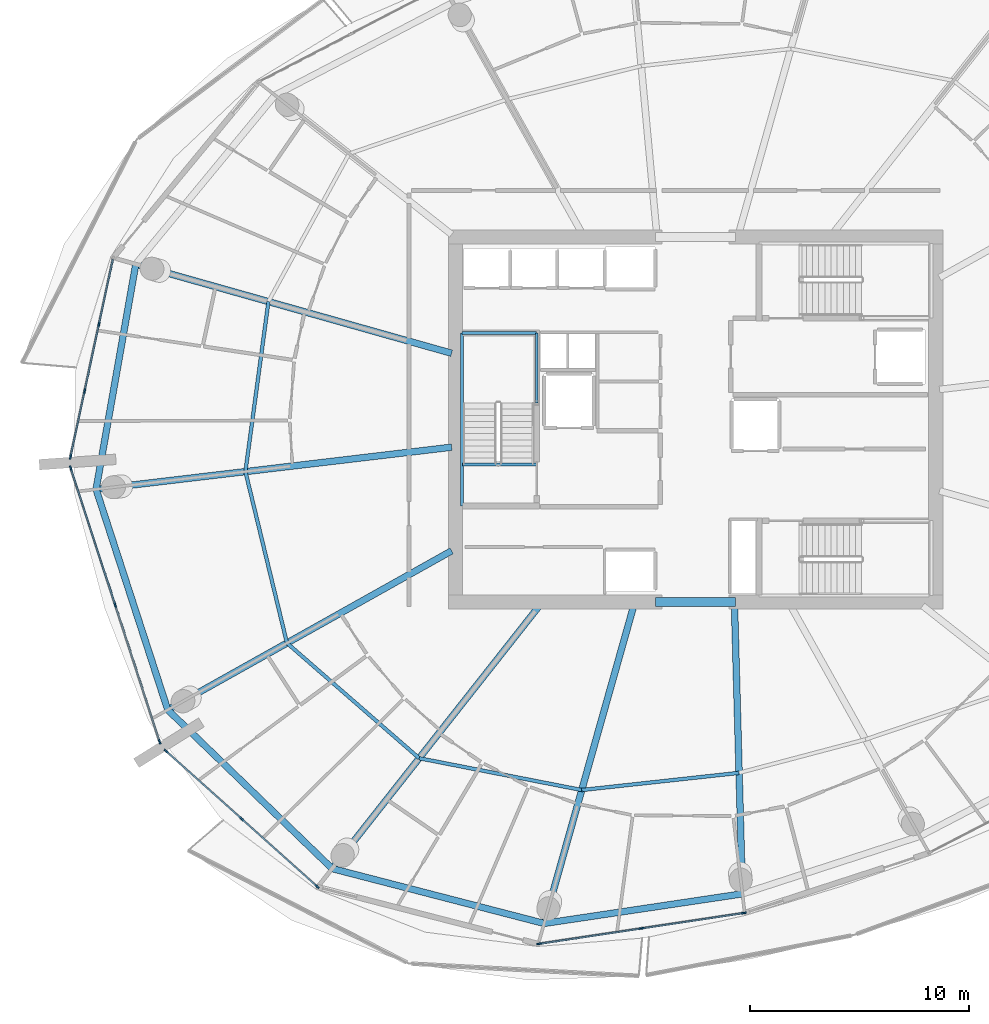
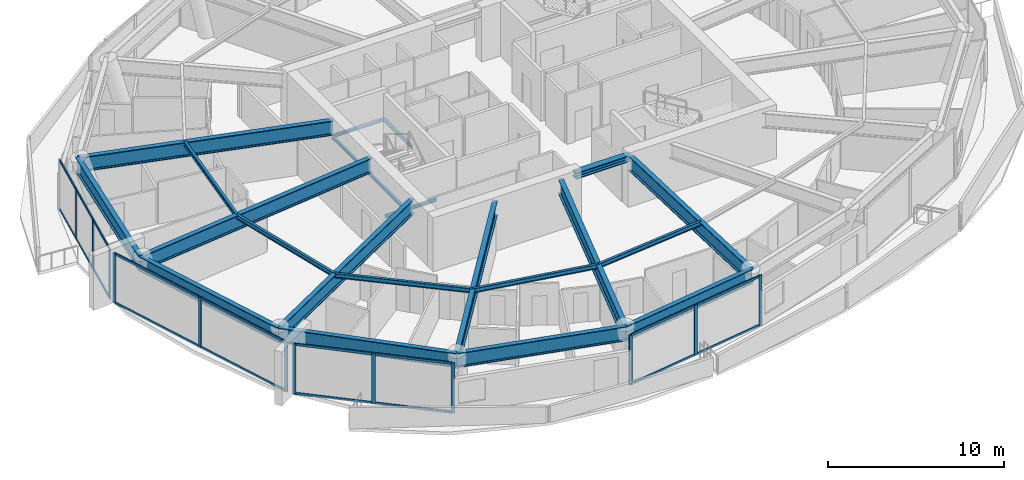
# One storey, part 5 of 20: 30 members, 21 beams, 4 elements without a shape of their own.
"""IFC4 building model written with IfcOpenShell, lengths in metres."""

import ifcopenshell
import ifcopenshell.guid

model = None  # the IFC model being written
_history = None  # IfcOwnerHistory: only IFC2X3 demands one
_inside = {}  # id of a spatial element -> (the spatial element, [elements in it])
_under = {}  # id of a project, library or spatial element -> (it, [spatial elements below it])
_declared = {}  # id of a project -> (the project, [libraries it declares])
_typed = {}  # id of a type object -> (the type object, [elements of that type])
_made_of = {}  # id of a material, layer set ... -> (it, [elements and type objects made of it])


def new_model(schema):
    """Start an empty IFC model of exactly this schema.

    Asked for "IFC4X3", IfcOpenShell would pick the latest addendum, in which some entities
    have other attributes; the version numbers below select the first issue.
    IFC2X3 requires an IfcOwnerHistory on every rooted entity: one is made here for all.
    """
    global model, _history
    if schema == "IFC4X3":
        model = ifcopenshell.file(schema_version=(4, 3, 0, 0))
    else:
        model = ifcopenshell.file(schema=schema)
    _inside.clear()
    _under.clear()
    _declared.clear()
    _typed.clear()
    _made_of.clear()
    _history = None
    if model.schema == "IFC2X3":
        org = make("IfcOrganization", Name="unknown")
        user = make(
            "IfcPersonAndOrganization",
            ThePerson=make("IfcPerson", FamilyName="unknown"),
            TheOrganization=org,
        )
        app = make(
            "IfcApplication",
            ApplicationDeveloper=org,
            Version="unknown",
            ApplicationFullName="unknown",
            ApplicationIdentifier="unknown",
        )
        _history = make(
            "IfcOwnerHistory",
            OwningUser=user,
            OwningApplication=app,
            ChangeAction="ADDED",
            CreationDate=0,
        )
    return model


def make(cls, **values):
    """One entity of the class cls with the attributes given. An attribute that is None is left unset."""
    return model.create_entity(
        cls, **{name: value for name, value in values.items() if value is not None}
    )


def rooted(cls, **values):
    """An entity with a GlobalId (a new one), such as an element, a storey or a relation."""
    return make(cls, GlobalId=ifcopenshell.guid.new(), OwnerHistory=_history, **values)


def si_unit(unit_type, name, prefix=None):
    """IfcSIUnit, for example si_unit("LENGTHUNIT", "METRE", prefix="MILLI")."""
    return make("IfcSIUnit", UnitType=unit_type, Prefix=prefix, Name=name)


def assignment(units):
    """IfcUnitAssignment: the units of a project."""
    return None if units is None else make("IfcUnitAssignment", Units=units)


def point(xyz):
    """IfcCartesianPoint."""
    return None if xyz is None else make("IfcCartesianPoint", Coordinates=xyz)


def direction(xyz):
    """IfcDirection."""
    return None if xyz is None else make("IfcDirection", DirectionRatios=xyz)


def frame(location, z_axis=None, x_axis=None):
    """IfcAxis2Placement3D, a coordinate frame: its origin and axes. An axis left out is left unset."""
    return make(
        "IfcAxis2Placement3D",
        Location=point(location),
        Axis=direction(z_axis),
        RefDirection=direction(x_axis),
    )


def frame_2d(location, x_axis=None):
    """IfcAxis2Placement2D, a coordinate frame in the plane: its origin and x axis."""
    return make(
        "IfcAxis2Placement2D", Location=point(location), RefDirection=direction(x_axis)
    )


def origin():
    """The frame at (0, 0, 0) with its axes left unset."""
    return frame((0.0, 0.0, 0.0))


def origin_2d():
    """The frame at (0, 0) in the plane with its x axis left unset."""
    return frame_2d((0.0, 0.0))


def place(relative_to, where):
    """IfcLocalPlacement: puts the frame where relative to a parent placement (None: the world)."""
    return make(
        "IfcLocalPlacement", PlacementRelTo=relative_to, RelativePlacement=where
    )


def context(
    kind, dimensions, precision=None, world=None, true_north=None, identifier=None
):
    """IfcGeometricRepresentationContext, for example the 3D "Model" context."""
    return make(
        "IfcGeometricRepresentationContext",
        ContextIdentifier=identifier,
        ContextType=kind,
        CoordinateSpaceDimension=dimensions,
        Precision=precision,
        WorldCoordinateSystem=world,
        TrueNorth=true_north,
    )


def subcontext(parent, identifier, kind, view, scale=None):
    """IfcGeometricRepresentationSubContext, for example "Body" below "Model"."""
    return make(
        "IfcGeometricRepresentationSubContext",
        ContextIdentifier=identifier,
        ContextType=kind,
        ParentContext=parent,
        TargetScale=scale,
        TargetView=view,
    )


def project(units=None, contexts=None):
    """IfcProject with its units and contexts."""
    return rooted(
        "IfcProject",
        Name="project",
        RepresentationContexts=contexts,
        UnitsInContext=assignment(units),
    )


def spatial(cls, under=None, at=None, **own):
    """A site, building, storey or space (cls), placed at a placement, below another one or the project."""
    s = rooted(cls, ObjectPlacement=at, **own)
    if under is not None:
        _under.setdefault(under.id(), (under, []))[1].append(s)
    return s


def profile(cls, at=None, kind="AREA", **sizes):
    """A parametric profile (cls). Its sizes go by their IFC names, for example OverallWidth=200.0."""
    return make(cls, ProfileType=kind, Position=at, **sizes)


def rectangle(**sizes):
    """IfcRectangleProfileDef."""
    return profile("IfcRectangleProfileDef", **sizes)


def i_section(**sizes):
    """IfcIShapeProfileDef."""
    return profile("IfcIShapeProfileDef", **sizes)


def extrude(swept, where, along, depth):
    """IfcExtrudedAreaSolid: the profile swept, set in the frame where, extruded along a direction by depth."""
    return make(
        "IfcExtrudedAreaSolid",
        SweptArea=swept,
        Position=where,
        ExtrudedDirection=direction(along),
        Depth=depth,
    )


def shape(context_of_items, identifier, shape_type, items):
    """IfcShapeRepresentation: the items that make up one representation, for example the "Body"."""
    return make(
        "IfcShapeRepresentation",
        ContextOfItems=context_of_items,
        RepresentationIdentifier=identifier,
        RepresentationType=shape_type,
        Items=items,
    )


def material(Name=None, Category=None):
    """IfcMaterial."""
    return make("IfcMaterial", Name=Name, Category=Category)


def layer(
    of_material, thickness, ventilated=None, Name=None, Category=None, Priority=None
):
    """IfcMaterialLayer: one layer of a wall or slab, of a material (None: an air gap)."""
    return make(
        "IfcMaterialLayer",
        Material=of_material,
        LayerThickness=thickness,
        IsVentilated=ventilated,
        Name=Name,
        Category=Category,
        Priority=Priority,
    )


def layer_set(layers, Name=None):
    """IfcMaterialLayerSet."""
    return make("IfcMaterialLayerSet", MaterialLayers=layers, LayerSetName=Name)


def material_profile(
    of_material, cross_section, Name=None, Category=None, Priority=None
):
    """IfcMaterialProfile: a cross section and its material."""
    return make(
        "IfcMaterialProfile",
        Name=Name,
        Material=of_material,
        Profile=cross_section,
        Priority=Priority,
        Category=Category,
    )


def profile_set(profiles, Name=None, composite=None):
    """IfcMaterialProfileSet."""
    return make(
        "IfcMaterialProfileSet",
        Name=Name,
        MaterialProfiles=profiles,
        CompositeProfile=composite,
    )


def made_of(thing, what):
    """Note that an element or type object is made of a material, layer set ...; save() writes the relation."""
    if what is not None:
        _made_of.setdefault(what.id(), (what, []))[1].append(thing)
    return thing


def type_object(cls, material=None, **own):
    """A type object (cls), such as IfcWallType, which elements share."""
    return made_of(rooted(cls, **own), material)


def element(
    cls,
    number,
    at=None,
    inside=None,
    cuts=None,
    type_object=None,
    material=None,
    context=None,
    identifier="Body",
    shape_type=None,
    held_by="IfcProductDefinitionShape",
    body=None,
    shapes=None,
    **own,
):
    """One element of the class cls, such as IfcWall. Its Tag is "e" and its number.

    at: its placement. inside: the storey or other place that contains it. cuts: it is an
    opening in that element (IfcRelVoidsElement). A single representation is given by context,
    identifier, shape_type and body (its items); several are given by shapes. held_by: the class
    of the entity that holds the representations. save() writes the other relations.
    """
    e = rooted(cls, Tag="e%d" % number, ObjectPlacement=at, **own)
    if body is not None:
        shapes = [shape(context, identifier, shape_type, body)]
    if shapes is not None:
        e.Representation = make(held_by, Representations=shapes)
    if inside is not None:
        _inside.setdefault(inside.id(), (inside, []))[1].append(e)
    if cuts is not None:
        rooted(
            "IfcRelVoidsElement", RelatingBuildingElement=cuts, RelatedOpeningElement=e
        )
    if type_object is not None:
        _typed.setdefault(type_object.id(), (type_object, []))[1].append(e)
    return made_of(e, material)


def aggregate(whole, parts):
    """IfcRelAggregates: a whole, such as a stair, and the parts it consists of."""
    return rooted("IfcRelAggregates", RelatingObject=whole, RelatedObjects=parts)


def save(model, path):
    """Write the relations noted so far, then the file.

    IfcRelAggregates (storeys below a building ...), IfcRelContainedInSpatialStructure (elements
    in a storey), IfcRelDefinesByType, IfcRelAssociatesMaterial and IfcRelDeclares: one each for
    every whole, place, type object, material and project.
    """
    for whole, parts in _under.values():
        aggregate(whole, parts)
    for where, things in _inside.values():
        rooted(
            "IfcRelContainedInSpatialStructure",
            RelatedElements=things,
            RelatingStructure=where,
        )
    for kind, things in _typed.values():
        rooted("IfcRelDefinesByType", RelatedObjects=things, RelatingType=kind)
    for what, things in _made_of.values():
        rooted("IfcRelAssociatesMaterial", RelatedObjects=things, RelatingMaterial=what)
    for by, libraries in _declared.values():
        rooted("IfcRelDeclares", RelatingContext=by, RelatedDefinitions=libraries)
    model.write(path)


model = new_model("IFC4")

# Units and contexts
model_context = context("Model", 3, precision=1e-05, world=origin(), true_north=direction((0.0, 1.0)))
body_context = subcontext(model_context, "Body", "Model", "MODEL_VIEW")
ifc_project = project(units=[si_unit("LENGTHUNIT", "METRE"), si_unit("AREAUNIT", "SQUARE_METRE"), si_unit("VOLUMEUNIT", "CUBIC_METRE"), si_unit("PLANEANGLEUNIT", "RADIAN"), si_unit("MASSUNIT", "GRAM", prefix="KILO")], contexts=[model_context])

# Site, building, storey
site_placement = place(None, origin())
site = spatial("IfcSite", under=ifc_project, at=site_placement, CompositionType="ELEMENT")
building_placement = place(site_placement, origin())
building = spatial("IfcBuilding", under=site, at=building_placement, Name="Kazma Halo Residences", CompositionType="ELEMENT")
storey_placement = place(building_placement, frame((0.0, 0.0, 221.550048828125)))
storey = spatial("IfcBuildingStorey", under=building, at=storey_placement, Name="L56", CompositionType="ELEMENT", Elevation=221.550048828125)

# Beams
ifc_material_1 = material(Name="Steel S355", Category="steel")
ifc_material_profile_1 = material_profile(ifc_material_1, i_section(OverallWidth=0.408935546875, OverallDepth=0.425048828125, WebThickness=0.03271484375, FlangeThickness=0.052490234375, FilletRadius=0.02001953125, at=origin_2d()), Name="W360x421")
ifc_profile_set_1 = profile_set([ifc_material_profile_1], Name="Steel S355")
beam_type_1 = type_object("IfcBeamType", Name="BM-CORE-W360H", PredefinedType="BEAM", material=ifc_profile_set_1)
beam_1_placement = place(storey_placement, frame((46.60009765625, 33.675048828125, 3.257568359375), z_axis=(1.0, 0.0, 0.0), x_axis=(0.0, 1.0, 0.0)))
element("IfcBeam", 1, at=beam_1_placement, inside=storey, type_object=beam_type_1, Name="L56 core coupling beam S", PredefinedType="BEAM", context=body_context, shape_type="SweptSolid", body=[
    extrude(i_section(OverallWidth=0.408935546875, OverallDepth=0.425048828125, WebThickness=0.03271484375, FlangeThickness=0.052490234375, FilletRadius=0.02001953125, at=origin_2d()), origin(), (0.0, 0.0, 1.0), 3.64990234375),
])
ifc_material_profile_2 = material_profile(ifc_material_1, i_section(OverallWidth=0.1650390625, OverallDepth=0.31005859375, WebThickness=0.005859375, FlangeThickness=0.009765625, FilletRadius=0.011962890625, at=origin_2d()), Name="W310x38.7")
ifc_profile_set_2 = profile_set([ifc_material_profile_2], Name="Steel S355")
beam_type_2 = type_object("IfcBeamType", Name="BM-SEC-W310B", PredefinedType="JOIST", material=ifc_profile_set_2)
beam_2_placement = place(storey_placement, frame((28.94482421875, 47.3740234375, 3.31494140625), z_axis=(-0.134170488154, -0.990958263555, 0.0), x_axis=(0.990958263555, -0.134170488154, 0.0)))
element("IfcBeam", 2, at=beam_2_placement, inside=storey, type_object=beam_type_2, Name="L56 circumferential floor joist 07", PredefinedType="JOIST", context=body_context, shape_type="SweptSolid", body=[
    extrude(i_section(OverallWidth=0.1650390625, OverallDepth=0.31005859375, WebThickness=0.005859375, FlangeThickness=0.009765625, FilletRadius=0.011962890625, at=origin_2d()), origin(), (0.0, 0.0, 1.0), 7.824462890625),
])
beam_3_placement = place(storey_placement, frame((27.89501953125, 39.620361328125, 3.31494140625), z_axis=(0.235588734072, -0.971852842964, 0.0), x_axis=(0.971852842964, 0.235588734072, 0.0)))
element("IfcBeam", 3, at=beam_3_placement, inside=storey, type_object=beam_type_2, Name="L56 circumferential floor joist 08", PredefinedType="JOIST", context=body_context, shape_type="SweptSolid", body=[
    extrude(i_section(OverallWidth=0.1650390625, OverallDepth=0.31005859375, WebThickness=0.005859375, FlangeThickness=0.009765625, FilletRadius=0.011962890625, at=origin_2d()), origin(), (0.0, 0.0, 1.0), 8.044677734375),
])
beam_4_placement = place(storey_placement, frame((29.790283203125, 31.802001953125, 3.31494140625), z_axis=(0.753953786557, -0.656927460026, 0.0), x_axis=(0.656927460026, 0.753953786557, 0.0)))
element("IfcBeam", 4, at=beam_4_placement, inside=storey, type_object=beam_type_2, Name="L56 circumferential floor joist 09", PredefinedType="JOIST", context=body_context, shape_type="SweptSolid", body=[
    extrude(i_section(OverallWidth=0.1650390625, OverallDepth=0.31005859375, WebThickness=0.005859375, FlangeThickness=0.009765625, FilletRadius=0.011962890625, at=origin_2d()), origin(), (0.0, 0.0, 1.0), 7.99658203125),
])
beam_5_placement = place(storey_placement, frame((35.8193359375, 26.548828125, 3.31494140625), z_axis=(0.981396096727, -0.191994013786, 0.0), x_axis=(0.191994013786, 0.981396096727, 0.0)))
element("IfcBeam", 5, at=beam_5_placement, inside=storey, type_object=beam_type_2, Name="L56 circumferential floor joist 10", PredefinedType="JOIST", context=body_context, shape_type="SweptSolid", body=[
    extrude(i_section(OverallWidth=0.1650390625, OverallDepth=0.31005859375, WebThickness=0.005859375, FlangeThickness=0.009765625, FilletRadius=0.011962890625, at=origin_2d()), origin(), (0.0, 0.0, 1.0), 7.5546875),
])
beam_6_placement = place(storey_placement, frame((43.2333984375, 25.098388671875, 3.31494140625), z_axis=(0.994096341122, 0.108500988783, 0.0), x_axis=(-0.108500988783, 0.994096341122, 0.0)))
element("IfcBeam", 6, at=beam_6_placement, inside=storey, type_object=beam_type_2, Name="L56 circumferential floor joist 11", PredefinedType="JOIST", context=body_context, shape_type="SweptSolid", body=[
    extrude(i_section(OverallWidth=0.1650390625, OverallDepth=0.31005859375, WebThickness=0.005859375, FlangeThickness=0.009765625, FilletRadius=0.011962890625, at=origin_2d()), origin(), (0.0, 0.0, 1.0), 7.218505859375),
])
ifc_material_profile_3 = material_profile(ifc_material_1, i_section(OverallWidth=0.302001953125, OverallDepth=1.01806640625, WebThickness=0.021484375, FlangeThickness=0.049072265625, FilletRadius=0.028076171875, at=origin_2d()), Name="W1000x443")
ifc_profile_set_3 = profile_set([ifc_material_profile_3], Name="Steel S355")
beam_type_3 = type_object("IfcBeamType", Name="BM-TRANS-W1000A", PredefinedType="BEAM", material=ifc_profile_set_3)
beam_7_placement = place(storey_placement, frame((37.300048828125, 45.017578125, 2.9609375), z_axis=(-0.962455795011, 0.271438469363, 0.0), x_axis=(-0.271438469363, -0.962455795011, 0.0)))
element("IfcBeam", 7, at=beam_7_placement, inside=storey, type_object=beam_type_3, Name="L56 podium radial transfer girder 07", PredefinedType="BEAM", context=body_context, shape_type="SweptSolid", body=[
    extrude(i_section(OverallWidth=0.302001953125, OverallDepth=1.01806640625, WebThickness=0.021484375, FlangeThickness=0.049072265625, FilletRadius=0.028076171875, at=origin_2d()), origin(), (0.0, 0.0, 1.0), 14.967529296875),
])
beam_8_placement = place(storey_placement, frame((37.300048828125, 40.733642578125, 2.9609375), z_axis=(-0.993067072421, -0.117549094738, 0.0), x_axis=(0.117549094738, -0.993067072421, 0.0)))
element("IfcBeam", 8, at=beam_8_placement, inside=storey, type_object=beam_type_3, Name="L56 podium radial transfer girder 08", PredefinedType="BEAM", context=body_context, shape_type="SweptSolid", body=[
    extrude(i_section(OverallWidth=0.302001953125, OverallDepth=1.01806640625, WebThickness=0.021484375, FlangeThickness=0.049072265625, FilletRadius=0.028076171875, at=origin_2d()), origin(), (0.0, 0.0, 1.0), 16.328857421875),
])
beam_9_placement = place(storey_placement, frame((37.300048828125, 36.0078125, 2.9609375), z_axis=(-0.87249226923, -0.488627915835, 0.0), x_axis=(0.488627915835, -0.87249226923, 0.0)))
element("IfcBeam", 9, at=beam_9_placement, inside=storey, type_object=beam_type_3, Name="L56 podium radial transfer girder 09", PredefinedType="BEAM", context=body_context, shape_type="SweptSolid", body=[
    extrude(i_section(OverallWidth=0.302001953125, OverallDepth=1.01806640625, WebThickness=0.021484375, FlangeThickness=0.049072265625, FilletRadius=0.028076171875, at=origin_2d()), origin(), (0.0, 0.0, 1.0), 14.83984375),
])
beam_10_placement = place(storey_placement, frame((41.299072265625, 33.5, 2.9609375), z_axis=(-0.619089651904, -0.785320318663, 0.0), x_axis=(0.785320318663, -0.619089651904, 0.0)))
element("IfcBeam", 10, at=beam_10_placement, inside=storey, type_object=beam_type_3, Name="L56 podium radial transfer girder 10", PredefinedType="BEAM", context=body_context, shape_type="SweptSolid", body=[
    extrude(i_section(OverallWidth=0.302001953125, OverallDepth=1.01806640625, WebThickness=0.021484375, FlangeThickness=0.049072265625, FilletRadius=0.028076171875, at=origin_2d()), origin(), (0.0, 0.0, 1.0), 15.26123046875),
])
beam_11_placement = place(storey_placement, frame((45.602783203125, 33.5, 2.9609375), z_axis=(-0.27144590968, -0.96245369661, 0.0), x_axis=(0.96245369661, -0.27144590968, 0.0)))
element("IfcBeam", 11, at=beam_11_placement, inside=storey, type_object=beam_type_3, Name="L56 podium radial transfer girder 11", PredefinedType="BEAM", context=body_context, shape_type="SweptSolid", body=[
    extrude(i_section(OverallWidth=0.302001953125, OverallDepth=1.01806640625, WebThickness=0.021484375, FlangeThickness=0.049072265625, FilletRadius=0.028076171875, at=origin_2d()), origin(), (0.0, 0.0, 1.0), 15.05078125),
])
beam_12_placement = place(storey_placement, frame((50.199951171875, 33.5, 2.9609375), z_axis=(0.027460737906, -0.999622882828, 0.0), x_axis=(0.999622882828, 0.027460737906, 0.0)))
element("IfcBeam", 12, at=beam_12_placement, inside=storey, type_object=beam_type_3, Name="L56 podium radial transfer girder 12", PredefinedType="BEAM", context=body_context, shape_type="SweptSolid", body=[
    extrude(i_section(OverallWidth=0.302001953125, OverallDepth=1.01806640625, WebThickness=0.021484375, FlangeThickness=0.049072265625, FilletRadius=0.028076171875, at=origin_2d()), origin(), (0.0, 0.0, 1.0), 13.14013671875),
])
ifc_material_profile_4 = material_profile(ifc_material_1, i_section(OverallWidth=0.300048828125, OverallDepth=1.0, WebThickness=0.01904296875, FlangeThickness=0.0400390625, FilletRadius=0.02587890625, at=origin_2d()), Name="W1000x371")
ifc_profile_set_4 = profile_set([ifc_material_profile_4], Name="Steel S355")
beam_type_4 = type_object("IfcBeamType", Name="BM-TRANS-W1000B", PredefinedType="BEAM", material=ifc_profile_set_4)
beam_13_placement = place(storey_placement, frame((22.89453125, 49.080322265625, 2.969970703125), z_axis=(-0.173635695552, -0.984809953864, 0.0), x_axis=(0.984809953864, -0.173635695552, 0.0)))
element("IfcBeam", 13, at=beam_13_placement, inside=storey, type_object=beam_type_4, Name="L56 perimeter ring beam 07", PredefinedType="BEAM", context=body_context, shape_type="SweptSolid", body=[
    extrude(i_section(OverallWidth=0.300048828125, OverallDepth=1.0, WebThickness=0.01904296875, FlangeThickness=0.0400390625, FilletRadius=0.02587890625, at=origin_2d()), origin(), (0.0, 0.0, 1.0), 10.424560546875),
])
beam_14_placement = place(storey_placement, frame((21.08447265625, 38.814208984375, 2.969970703125), z_axis=(0.309008812801, -0.951059174611, 0.0), x_axis=(0.951059174611, 0.309008812801, 0.0)))
element("IfcBeam", 14, at=beam_14_placement, inside=storey, type_object=beam_type_4, Name="L56 perimeter ring beam 08", PredefinedType="BEAM", context=body_context, shape_type="SweptSolid", body=[
    extrude(i_section(OverallWidth=0.300048828125, OverallDepth=1.0, WebThickness=0.01904296875, FlangeThickness=0.0400390625, FilletRadius=0.02587890625, at=origin_2d()), origin(), (0.0, 0.0, 1.0), 10.5751953125),
])
beam_15_placement = place(storey_placement, frame((24.352294921875, 28.756591796875, 2.969970703125), z_axis=(0.719341330106, -0.694656786335, 0.0), x_axis=(0.694656786335, 0.719341330106, 0.0)))
element("IfcBeam", 15, at=beam_15_placement, inside=storey, type_object=beam_type_4, Name="L56 perimeter ring beam 09", PredefinedType="BEAM", context=body_context, shape_type="SweptSolid", body=[
    extrude(i_section(OverallWidth=0.300048828125, OverallDepth=1.0, WebThickness=0.01904296875, FlangeThickness=0.0400390625, FilletRadius=0.02587890625, at=origin_2d()), origin(), (0.0, 0.0, 1.0), 10.424560546875),
])
beam_16_placement = place(storey_placement, frame((31.85107421875, 21.51513671875, 2.969970703125), z_axis=(0.968126571525, -0.25046145713, 0.0), x_axis=(0.25046145713, 0.968126571525, 0.0)))
element("IfcBeam", 16, at=beam_16_placement, inside=storey, type_object=beam_type_4, Name="L56 perimeter ring beam 10", PredefinedType="BEAM", context=body_context, shape_type="SweptSolid", body=[
    extrude(i_section(OverallWidth=0.300048828125, OverallDepth=1.0, WebThickness=0.01904296875, FlangeThickness=0.0400390625, FilletRadius=0.02587890625, at=origin_2d()), origin(), (0.0, 0.0, 1.0), 9.984619140625),
])
beam_17_placement = place(storey_placement, frame((41.517333984375, 19.014404296875, 2.969970703125), z_axis=(0.989035230402, 0.147679765114, 0.0), x_axis=(-0.147679765114, 0.989035230402, 0.0)))
element("IfcBeam", 17, at=beam_17_placement, inside=storey, type_object=beam_type_4, Name="L56 perimeter ring beam 11", PredefinedType="BEAM", context=body_context, shape_type="SweptSolid", body=[
    extrude(i_section(OverallWidth=0.300048828125, OverallDepth=1.0, WebThickness=0.01904296875, FlangeThickness=0.0400390625, FilletRadius=0.02587890625, at=origin_2d()), origin(), (0.0, 0.0, 1.0), 9.143798828125),
])
ifc_material_profile_5 = material_profile(ifc_material_1, i_section(OverallWidth=0.133056640625, OverallDepth=0.20703125, WebThickness=0.005859375, FlangeThickness=0.00830078125, FilletRadius=0.010009765625, at=origin_2d()), Name="W200x26.6")
ifc_profile_set_5 = profile_set([ifc_material_profile_5], Name="Steel S355")
beam_type_5 = type_object("IfcBeamType", Name="BM-TRIM-W200", PredefinedType="BEAM", material=ifc_profile_set_5)
beam_18_placement = place(storey_placement, frame((37.800048828125, 39.949951171875, -0.360107421875), z_axis=(1.0, 0.0, 0.0), x_axis=(0.0, 1.0, 0.0)))
element("IfcBeam", 18, at=beam_18_placement, inside=storey, type_object=beam_type_5, Name="L56 ST-01 floor landing support beam", PredefinedType="BEAM", context=body_context, shape_type="SweptSolid", body=[
    extrude(i_section(OverallWidth=0.133056640625, OverallDepth=0.20703125, WebThickness=0.005859375, FlangeThickness=0.00830078125, FilletRadius=0.010009765625, at=origin_2d()), origin(), (0.0, 0.0, 1.0), 3.3798828125),
])
beam_19_placement = place(storey_placement, frame((37.780029296875, 38.06005859375, 1.570068359375), z_axis=(0.0, 1.0, 0.0), x_axis=(-1.0, 0.0, 0.0)))
element("IfcBeam", 19, at=beam_19_placement, inside=storey, type_object=beam_type_5, Name="L56 ST-01 landing west wall ledger", PredefinedType="BEAM", context=body_context, shape_type="SweptSolid", body=[
    extrude(i_section(OverallWidth=0.133056640625, OverallDepth=0.20703125, WebThickness=0.005859375, FlangeThickness=0.00830078125, FilletRadius=0.010009765625, at=origin_2d()), origin(), (0.0, 0.0, 1.0), 7.8798828125),
])
beam_20_placement = place(storey_placement, frame((41.179931640625, 42.75, 1.570068359375), z_axis=(0.0, 1.0, 0.0), x_axis=(-1.0, 0.0, 0.0)))
element("IfcBeam", 20, at=beam_20_placement, inside=storey, type_object=beam_type_5, Name="L56 ST-01 landing east wall ledger", PredefinedType="BEAM", context=body_context, shape_type="SweptSolid", body=[
    extrude(i_section(OverallWidth=0.133056640625, OverallDepth=0.20703125, WebThickness=0.005859375, FlangeThickness=0.00830078125, FilletRadius=0.010009765625, at=origin_2d()), origin(), (0.0, 0.0, 1.0), 3.18994140625),
])
beam_21_placement = place(storey_placement, frame((37.780029296875, 45.93994140625, 1.570068359375), z_axis=(1.0, 0.0, 0.0), x_axis=(0.0, 1.0, 0.0)))
element("IfcBeam", 21, at=beam_21_placement, inside=storey, type_object=beam_type_5, Name="L56 ST-01 landing end wall ledger", PredefinedType="BEAM", context=body_context, shape_type="SweptSolid", body=[
    extrude(i_section(OverallWidth=0.133056640625, OverallDepth=0.20703125, WebThickness=0.005859375, FlangeThickness=0.00830078125, FilletRadius=0.010009765625, at=origin_2d()), origin(), (0.0, 0.0, 1.0), 3.39990234375),
])

# Curtain wall, members
ifc_material_2 = material(Name="Aluminium AW-6063 T6 and Triple-Silver Low-E Glass", Category="aluminium")
ifc_layer = layer(ifc_material_2, 0.219970703125)
ifc_layer_set = layer_set([ifc_layer], Name="Aluminium AW-6063 T6 and Triple-Silver Low-E Glass")
curtain_wall_type = type_object("IfcCurtainWallType", Name="CW-SYS-4", PredefinedType="NOTDEFINED", material=ifc_layer_set)
curtain_wall_1_placement = place(storey_placement, origin())
curtain_wall_1 = element("IfcCurtainWall", 22, at=curtain_wall_1_placement, inside=storey, type_object=curtain_wall_type, Name="L56 unitised curtain wall B07", PredefinedType="NOTDEFINED")
ifc_material_3 = material(Name="Aluminium AW-6063 T6", Category="aluminium")
ifc_material_profile_6 = material_profile(ifc_material_3, rectangle(XDim=0.074951171875, YDim=0.219970703125, at=origin_2d()), Name="CWM-75x220")
ifc_profile_set_6 = profile_set([ifc_material_profile_6], Name="Aluminium AW-6063 T6")
member_type_1 = type_object("IfcMemberType", Name="CW-SYS-4-MUL", PredefinedType="MULLION", material=ifc_profile_set_6)
member_1_placement = place(storey_placement, frame((21.212890625, 46.3330078125, 0.0), z_axis=(0.0, 0.0, 1.0), x_axis=(0.977768017212, -0.209689543175, 0.0)))
member_1 = element("IfcMember", 23, at=member_1_placement, type_object=member_type_1, Name="CWS-4 mullion 2", PredefinedType="MULLION", context=body_context, shape_type="SweptSolid", body=[
    extrude(rectangle(XDim=0.074951171875, YDim=0.219970703125, at=origin_2d()), origin(), (0.0, 0.0, 1.0), 3.469970703125),
])
member_2_placement = place(storey_placement, frame((20.561279296875, 43.295166015625, 0.0), z_axis=(0.0, 0.0, 1.0), x_axis=(0.977768017212, -0.209689543175, 0.0)))
member_2 = element("IfcMember", 24, at=member_2_placement, type_object=member_type_1, Name="CWS-4 mullion 3", PredefinedType="MULLION", context=body_context, shape_type="SweptSolid", body=[
    extrude(rectangle(XDim=0.074951171875, YDim=0.219970703125, at=origin_2d()), origin(), (0.0, 0.0, 1.0), 3.469970703125),
])
member_3_placement = place(storey_placement, frame((19.917724609375, 40.2939453125, 0.0), z_axis=(0.0, 0.0, 1.0), x_axis=(0.977768017212, -0.209689543175, 0.0)))
member_3 = element("IfcMember", 25, at=member_3_placement, type_object=member_type_1, Name="CWS-4 mullion 4", PredefinedType="MULLION", context=body_context, shape_type="SweptSolid", body=[
    extrude(rectangle(XDim=0.074951171875, YDim=0.219970703125, at=origin_2d()), origin(), (0.0, 0.0, 1.0), 3.469970703125),
])

curtain_wall_2_placement = place(storey_placement, origin())
curtain_wall_2 = element("IfcCurtainWall", 26, at=curtain_wall_2_placement, inside=storey, type_object=curtain_wall_type, Name="L56 unitised curtain wall B08", PredefinedType="NOTDEFINED")
member_4_placement = place(storey_placement, frame((19.9287109375, 39.77880859375, 0.0), z_axis=(0.0, 0.0, 1.0), x_axis=(0.951056893636, 0.309015833038, 0.0)))
member_4 = element("IfcMember", 27, at=member_4_placement, type_object=member_type_1, Name="CWS-4 mullion 1", PredefinedType="MULLION", context=body_context, shape_type="SweptSolid", body=[
    extrude(rectangle(XDim=0.074951171875, YDim=0.219970703125, at=origin_2d()), origin(), (0.0, 0.0, 1.0), 3.469970703125),
])
member_5_placement = place(storey_placement, frame((21.95654296875, 33.5380859375, 0.0), z_axis=(0.0, 0.0, 1.0), x_axis=(0.951056893636, 0.309015833038, 0.0)))
member_5 = element("IfcMember", 28, at=member_5_placement, type_object=member_type_1, Name="CWS-4 mullion 2", PredefinedType="MULLION", context=body_context, shape_type="SweptSolid", body=[
    extrude(rectangle(XDim=0.074951171875, YDim=0.219970703125, at=origin_2d()), origin(), (0.0, 0.0, 1.0), 3.469970703125),
])
member_6_placement = place(storey_placement, frame((23.984375, 27.297119140625, 0.0), z_axis=(0.0, 0.0, 1.0), x_axis=(0.951056893636, 0.309015833038, 0.0)))
member_6 = element("IfcMember", 29, at=member_6_placement, type_object=member_type_1, Name="CWS-4 mullion 3", PredefinedType="MULLION", context=body_context, shape_type="SweptSolid", body=[
    extrude(rectangle(XDim=0.074951171875, YDim=0.219970703125, at=origin_2d()), origin(), (0.0, 0.0, 1.0), 3.469970703125),
])

curtain_wall_3_placement = place(storey_placement, origin())
curtain_wall_3 = element("IfcCurtainWall", 30, at=curtain_wall_3_placement, inside=storey, type_object=curtain_wall_type, Name="L56 unitised curtain wall B09", PredefinedType="NOTDEFINED")
member_7_placement = place(storey_placement, frame((24.2783203125, 26.873779296875, 0.0), z_axis=(0.0, 0.0, 1.0), x_axis=(0.667784328806, 0.744354814723, 0.0)))
member_7 = element("IfcMember", 31, at=member_7_placement, type_object=member_type_1, Name="CWS-4 mullion 1", PredefinedType="MULLION", context=body_context, shape_type="SweptSolid", body=[
    extrude(rectangle(XDim=0.074951171875, YDim=0.219970703125, at=origin_2d()), origin(), (0.0, 0.0, 1.0), 3.469970703125),
])
member_8_placement = place(storey_placement, frame((27.719482421875, 23.786865234375, 0.0), z_axis=(0.0, 0.0, 1.0), x_axis=(0.667784328806, 0.744354814723, 0.0)))
member_8 = element("IfcMember", 32, at=member_8_placement, type_object=member_type_1, Name="CWS-4 mullion 2", PredefinedType="MULLION", context=body_context, shape_type="SweptSolid", body=[
    extrude(rectangle(XDim=0.074951171875, YDim=0.219970703125, at=origin_2d()), origin(), (0.0, 0.0, 1.0), 3.469970703125),
])
member_9_placement = place(storey_placement, frame((31.160400390625, 20.69970703125, 0.0), z_axis=(0.0, 0.0, 1.0), x_axis=(0.667784328806, 0.744354814723, 0.0)))
member_9 = element("IfcMember", 33, at=member_9_placement, type_object=member_type_1, Name="CWS-4 mullion 3", PredefinedType="MULLION", context=body_context, shape_type="SweptSolid", body=[
    extrude(rectangle(XDim=0.074951171875, YDim=0.219970703125, at=origin_2d()), origin(), (0.0, 0.0, 1.0), 3.469970703125),
])

curtain_wall_4_placement = place(storey_placement, origin())
curtain_wall_4 = element("IfcCurtainWall", 34, at=curtain_wall_4_placement, inside=storey, type_object=curtain_wall_type, Name="L56 unitised curtain wall B11", PredefinedType="NOTDEFINED")
member_10_placement = place(storey_placement, frame((41.291259765625, 18.086669921875, 0.0), z_axis=(0.0, 0.0, 1.0), x_axis=(-0.148772639188, 0.988871428361, 0.0)))
member_10 = element("IfcMember", 35, at=member_10_placement, type_object=member_type_1, Name="CWS-4 mullion 1", PredefinedType="MULLION", context=body_context, shape_type="SweptSolid", body=[
    extrude(rectangle(XDim=0.074951171875, YDim=0.219970703125, at=origin_2d()), origin(), (0.0, 0.0, 1.0), 3.469970703125),
])
member_11_placement = place(storey_placement, frame((45.958740234375, 18.788818359375, 0.0), z_axis=(0.0, 0.0, 1.0), x_axis=(-0.148772639188, 0.988871428361, 0.0)))
member_11 = element("IfcMember", 36, at=member_11_placement, type_object=member_type_1, Name="CWS-4 mullion 2", PredefinedType="MULLION", context=body_context, shape_type="SweptSolid", body=[
    extrude(rectangle(XDim=0.074951171875, YDim=0.219970703125, at=origin_2d()), origin(), (0.0, 0.0, 1.0), 3.469970703125),
])
member_12_placement = place(storey_placement, frame((50.626220703125, 19.490966796875, 0.0), z_axis=(0.0, 0.0, 1.0), x_axis=(-0.148772639188, 0.988871428361, 0.0)))
member_12 = element("IfcMember", 37, at=member_12_placement, type_object=member_type_1, Name="CWS-4 mullion 3", PredefinedType="MULLION", context=body_context, shape_type="SweptSolid", body=[
    extrude(rectangle(XDim=0.074951171875, YDim=0.219970703125, at=origin_2d()), origin(), (0.0, 0.0, 1.0), 3.469970703125),
])

# Member
ifc_material_profile_7 = material_profile(ifc_material_3, rectangle(XDim=0.074951171875, YDim=0.1650390625, at=origin_2d()), Name="CWT-75x165")
ifc_profile_set_7 = profile_set([ifc_material_profile_7], Name="Aluminium AW-6063 T6")
member_type_2 = type_object("IfcMemberType", Name="CW-SYS-4-TRN", PredefinedType="USERDEFINED", material=ifc_profile_set_7)
member_13_placement = place(storey_placement, frame((21.8486328125, 49.297607421875, 0.037353515625), z_axis=(-0.209707268418, -0.977764215735, 0.0), x_axis=(0.977764215735, -0.209707268418, 0.0)))
member_13 = element("IfcMember", 38, at=member_13_placement, type_object=member_type_2, Name="CWS-4 transom 1.1", ObjectType="TRANSOM", PredefinedType="USERDEFINED", context=body_context, shape_type="SweptSolid", body=[
    extrude(rectangle(XDim=0.074951171875, YDim=0.1650390625, at=origin_2d()), origin(), (0.0, 0.0, 1.0), 2.994384765625),
])

member_14_placement = place(storey_placement, frame((21.8486328125, 49.297607421875, 3.432373046875), z_axis=(-0.209707268418, -0.977764215735, 0.0), x_axis=(0.977764215735, -0.209707268418, 0.0)))
member_14 = element("IfcMember", 39, at=member_14_placement, type_object=member_type_2, Name="CWS-4 transom 1.2", ObjectType="TRANSOM", PredefinedType="USERDEFINED", context=body_context, shape_type="SweptSolid", body=[
    extrude(rectangle(XDim=0.074951171875, YDim=0.1650390625, at=origin_2d()), origin(), (0.0, 0.0, 1.0), 2.994384765625),
])

member_15_placement = place(storey_placement, frame((21.205078125, 46.29638671875, 0.037353515625), z_axis=(-0.209677559804, -0.977770587057, 0.0), x_axis=(0.977770587057, -0.209677559804, 0.0)))
member_15 = element("IfcMember", 40, at=member_15_placement, type_object=member_type_2, Name="CWS-4 transom 2.1", ObjectType="TRANSOM", PredefinedType="USERDEFINED", context=body_context, shape_type="SweptSolid", body=[
    extrude(rectangle(XDim=0.074951171875, YDim=0.1650390625, at=origin_2d()), origin(), (0.0, 0.0, 1.0), 3.031982421875),
])

member_16_placement = place(storey_placement, frame((21.205078125, 46.29638671875, 3.432373046875), z_axis=(-0.209677559804, -0.977770587057, 0.0), x_axis=(0.977770587057, -0.209677559804, 0.0)))
member_16 = element("IfcMember", 41, at=member_16_placement, type_object=member_type_2, Name="CWS-4 transom 2.2", ObjectType="TRANSOM", PredefinedType="USERDEFINED", context=body_context, shape_type="SweptSolid", body=[
    extrude(rectangle(XDim=0.074951171875, YDim=0.1650390625, at=origin_2d()), origin(), (0.0, 0.0, 1.0), 3.031982421875),
])

member_17_placement = place(storey_placement, frame((20.553466796875, 43.258544921875, 0.037353515625), z_axis=(-0.209690551496, -0.97776780097, 0.0), x_axis=(0.97776780097, -0.209690551496, 0.0)))
member_17 = element("IfcMember", 42, at=member_17_placement, type_object=member_type_2, Name="CWS-4 transom 3.1", ObjectType="TRANSOM", PredefinedType="USERDEFINED", context=body_context, shape_type="SweptSolid", body=[
    extrude(rectangle(XDim=0.074951171875, YDim=0.1650390625, at=origin_2d()), origin(), (0.0, 0.0, 1.0), 2.99462890625),
])

member_18_placement = place(storey_placement, frame((20.553466796875, 43.258544921875, 3.432373046875), z_axis=(-0.209690551496, -0.97776780097, 0.0), x_axis=(0.97776780097, -0.209690551496, 0.0)))
member_18 = element("IfcMember", 43, at=member_18_placement, type_object=member_type_2, Name="CWS-4 transom 3.2", ObjectType="TRANSOM", PredefinedType="USERDEFINED", context=body_context, shape_type="SweptSolid", body=[
    extrude(rectangle(XDim=0.074951171875, YDim=0.1650390625, at=origin_2d()), origin(), (0.0, 0.0, 1.0), 2.99462890625),
])

aggregate(curtain_wall_1, [member_1, member_2, member_3, member_13, member_14, member_15, member_16, member_17, member_18])

member_19_placement = place(storey_placement, frame((19.9404296875, 39.7431640625, 0.037353515625), z_axis=(0.30902650142, -0.951053427217, 0.0), x_axis=(0.951053427217, 0.30902650142, 0.0)))
member_19 = element("IfcMember", 44, at=member_19_placement, type_object=member_type_2, Name="CWS-4 transom 1.1", ObjectType="TRANSOM", PredefinedType="USERDEFINED", context=body_context, shape_type="SweptSolid", body=[
    extrude(rectangle(XDim=0.074951171875, YDim=0.1650390625, at=origin_2d()), origin(), (0.0, 0.0, 1.0), 6.487060546875),
])

member_20_placement = place(storey_placement, frame((19.9404296875, 39.7431640625, 3.432373046875), z_axis=(0.30902650142, -0.951053427217, 0.0), x_axis=(0.951053427217, 0.30902650142, 0.0)))
member_20 = element("IfcMember", 45, at=member_20_placement, type_object=member_type_2, Name="CWS-4 transom 1.2", ObjectType="TRANSOM", PredefinedType="USERDEFINED", context=body_context, shape_type="SweptSolid", body=[
    extrude(rectangle(XDim=0.074951171875, YDim=0.1650390625, at=origin_2d()), origin(), (0.0, 0.0, 1.0), 6.487060546875),
])

member_21_placement = place(storey_placement, frame((21.968017578125, 33.50244140625, 0.037353515625), z_axis=(0.309015440644, -0.951057021132, 0.0), x_axis=(0.951057021132, 0.309015440644, 0.0)))
member_21 = element("IfcMember", 46, at=member_21_placement, type_object=member_type_2, Name="CWS-4 transom 2.1", ObjectType="TRANSOM", PredefinedType="USERDEFINED", context=body_context, shape_type="SweptSolid", body=[
    extrude(rectangle(XDim=0.074951171875, YDim=0.1650390625, at=origin_2d()), origin(), (0.0, 0.0, 1.0), 6.487060546875),
])

member_22_placement = place(storey_placement, frame((21.968017578125, 33.50244140625, 3.432373046875), z_axis=(0.309015440644, -0.951057021132, 0.0), x_axis=(0.951057021132, 0.309015440644, 0.0)))
member_22 = element("IfcMember", 47, at=member_22_placement, type_object=member_type_2, Name="CWS-4 transom 2.2", ObjectType="TRANSOM", PredefinedType="USERDEFINED", context=body_context, shape_type="SweptSolid", body=[
    extrude(rectangle(XDim=0.074951171875, YDim=0.1650390625, at=origin_2d()), origin(), (0.0, 0.0, 1.0), 6.487060546875),
])

aggregate(curtain_wall_2, [member_4, member_5, member_6, member_19, member_20, member_21, member_22])

member_23_placement = place(storey_placement, frame((24.30615234375, 26.848876953125, 0.037353515625), z_axis=(0.744344906673, -0.667795372783, 0.0), x_axis=(0.667795372783, 0.744344906673, 0.0)))
member_23 = element("IfcMember", 48, at=member_23_placement, type_object=member_type_2, Name="CWS-4 transom 1.1", ObjectType="TRANSOM", PredefinedType="USERDEFINED", context=body_context, shape_type="SweptSolid", body=[
    extrude(rectangle(XDim=0.074951171875, YDim=0.1650390625, at=origin_2d()), origin(), (0.0, 0.0, 1.0), 4.5478515625),
])

member_24_placement = place(storey_placement, frame((24.30615234375, 26.848876953125, 3.432373046875), z_axis=(0.744344906673, -0.667795372783, 0.0), x_axis=(0.667795372783, 0.744344906673, 0.0)))
member_24 = element("IfcMember", 49, at=member_24_placement, type_object=member_type_2, Name="CWS-4 transom 1.2", ObjectType="TRANSOM", PredefinedType="USERDEFINED", context=body_context, shape_type="SweptSolid", body=[
    extrude(rectangle(XDim=0.074951171875, YDim=0.1650390625, at=origin_2d()), origin(), (0.0, 0.0, 1.0), 4.5478515625),
])

member_25_placement = place(storey_placement, frame((27.747314453125, 23.76171875, 0.037353515625), z_axis=(0.744344906673, -0.667795372783, 0.0), x_axis=(0.667795372783, 0.744344906673, 0.0)))
member_25 = element("IfcMember", 50, at=member_25_placement, type_object=member_type_2, Name="CWS-4 transom 2.1", ObjectType="TRANSOM", PredefinedType="USERDEFINED", context=body_context, shape_type="SweptSolid", body=[
    extrude(rectangle(XDim=0.074951171875, YDim=0.1650390625, at=origin_2d()), origin(), (0.0, 0.0, 1.0), 4.5478515625),
])

member_26_placement = place(storey_placement, frame((27.747314453125, 23.76171875, 3.432373046875), z_axis=(0.744344906673, -0.667795372783, 0.0), x_axis=(0.667795372783, 0.744344906673, 0.0)))
member_26 = element("IfcMember", 51, at=member_26_placement, type_object=member_type_2, Name="CWS-4 transom 2.2", ObjectType="TRANSOM", PredefinedType="USERDEFINED", context=body_context, shape_type="SweptSolid", body=[
    extrude(rectangle(XDim=0.074951171875, YDim=0.1650390625, at=origin_2d()), origin(), (0.0, 0.0, 1.0), 4.5478515625),
])

aggregate(curtain_wall_3, [member_7, member_8, member_9, member_23, member_24, member_25, member_26])

member_27_placement = place(storey_placement, frame((41.328369140625, 18.092041015625, 0.037353515625), z_axis=(0.988867623216, 0.148797929272, 0.0), x_axis=(-0.148797929272, 0.988867623216, 0.0)))
member_27 = element("IfcMember", 52, at=member_27_placement, type_object=member_type_2, Name="CWS-4 transom 1.1", ObjectType="TRANSOM", PredefinedType="USERDEFINED", context=body_context, shape_type="SweptSolid", body=[
    extrude(rectangle(XDim=0.074951171875, YDim=0.1650390625, at=origin_2d()), origin(), (0.0, 0.0, 1.0), 4.64501953125),
])

member_28_placement = place(storey_placement, frame((41.328369140625, 18.092041015625, 3.432373046875), z_axis=(0.988867623216, 0.148797929272, 0.0), x_axis=(-0.148797929272, 0.988867623216, 0.0)))
member_28 = element("IfcMember", 53, at=member_28_placement, type_object=member_type_2, Name="CWS-4 transom 1.2", ObjectType="TRANSOM", PredefinedType="USERDEFINED", context=body_context, shape_type="SweptSolid", body=[
    extrude(rectangle(XDim=0.074951171875, YDim=0.1650390625, at=origin_2d()), origin(), (0.0, 0.0, 1.0), 4.64501953125),
])

member_29_placement = place(storey_placement, frame((45.995849609375, 18.79443359375, 0.037353515625), z_axis=(0.988876518566, 0.148738801357, 0.0), x_axis=(-0.148738801357, 0.988876518566, 0.0)))
member_29 = element("IfcMember", 54, at=member_29_placement, type_object=member_type_2, Name="CWS-4 transom 2.1", ObjectType="TRANSOM", PredefinedType="USERDEFINED", context=body_context, shape_type="SweptSolid", body=[
    extrude(rectangle(XDim=0.074951171875, YDim=0.1650390625, at=origin_2d()), origin(), (0.0, 0.0, 1.0), 4.645263671875),
])

member_30_placement = place(storey_placement, frame((45.995849609375, 18.79443359375, 3.432373046875), z_axis=(0.988876518566, 0.148738801357, 0.0), x_axis=(-0.148738801357, 0.988876518566, 0.0)))
member_30 = element("IfcMember", 55, at=member_30_placement, type_object=member_type_2, Name="CWS-4 transom 2.2", ObjectType="TRANSOM", PredefinedType="USERDEFINED", context=body_context, shape_type="SweptSolid", body=[
    extrude(rectangle(XDim=0.074951171875, YDim=0.1650390625, at=origin_2d()), origin(), (0.0, 0.0, 1.0), 4.645263671875),
])

aggregate(curtain_wall_4, [member_10, member_11, member_12, member_27, member_28, member_29, member_30])

save(model, "model.ifc")
